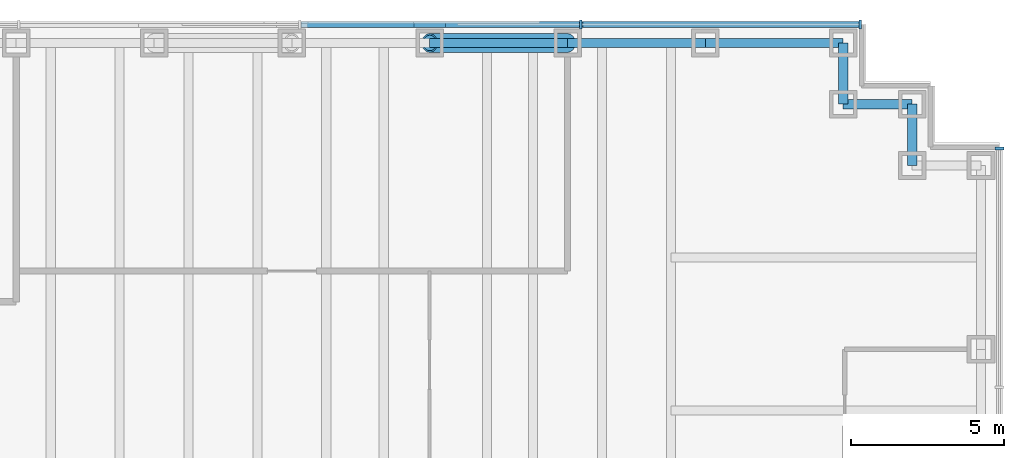
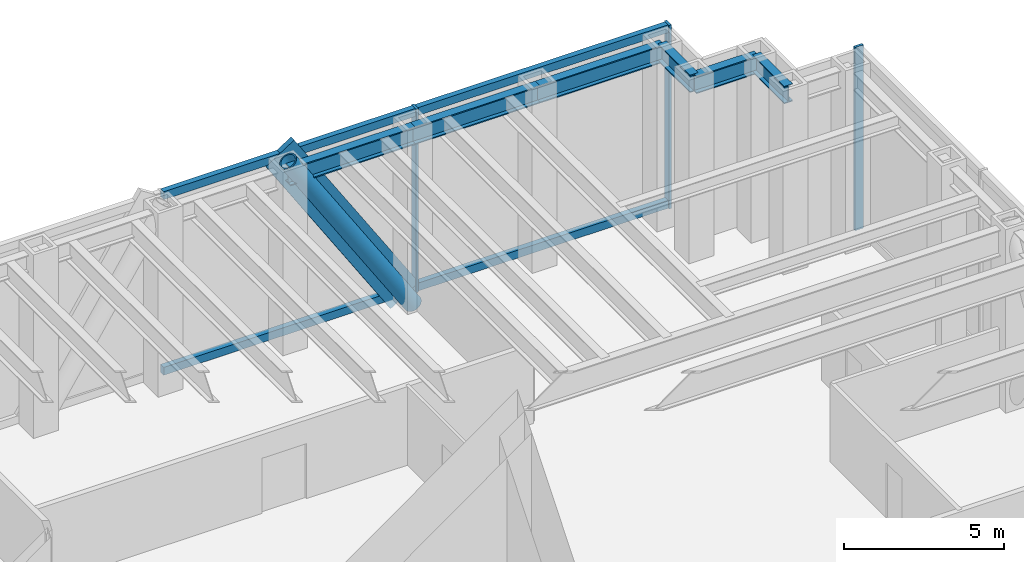
# One storey, part 10 of 17: 9 members, 6 beams, 2 elements without a shape of their own.
"""IFC4 building model written with IfcOpenShell, lengths in metres."""

import ifcopenshell
import ifcopenshell.guid

model = None  # the IFC model being written
_history = None  # IfcOwnerHistory: only IFC2X3 demands one
_inside = {}  # id of a spatial element -> (the spatial element, [elements in it])
_under = {}  # id of a project, library or spatial element -> (it, [spatial elements below it])
_declared = {}  # id of a project -> (the project, [libraries it declares])
_typed = {}  # id of a type object -> (the type object, [elements of that type])
_made_of = {}  # id of a material, layer set ... -> (it, [elements and type objects made of it])


def new_model(schema):
    """Start an empty IFC model of exactly this schema.

    Asked for "IFC4X3", IfcOpenShell would pick the latest addendum, in which some entities
    have other attributes; the version numbers below select the first issue.
    IFC2X3 requires an IfcOwnerHistory on every rooted entity: one is made here for all.
    """
    global model, _history
    if schema == "IFC4X3":
        model = ifcopenshell.file(schema_version=(4, 3, 0, 0))
    else:
        model = ifcopenshell.file(schema=schema)
    _inside.clear()
    _under.clear()
    _declared.clear()
    _typed.clear()
    _made_of.clear()
    _history = None
    if model.schema == "IFC2X3":
        org = make("IfcOrganization", Name="unknown")
        user = make(
            "IfcPersonAndOrganization",
            ThePerson=make("IfcPerson", FamilyName="unknown"),
            TheOrganization=org,
        )
        app = make(
            "IfcApplication",
            ApplicationDeveloper=org,
            Version="unknown",
            ApplicationFullName="unknown",
            ApplicationIdentifier="unknown",
        )
        _history = make(
            "IfcOwnerHistory",
            OwningUser=user,
            OwningApplication=app,
            ChangeAction="ADDED",
            CreationDate=0,
        )
    return model


def make(cls, **values):
    """One entity of the class cls with the attributes given. An attribute that is None is left unset."""
    return model.create_entity(
        cls, **{name: value for name, value in values.items() if value is not None}
    )


def rooted(cls, **values):
    """An entity with a GlobalId (a new one), such as an element, a storey or a relation."""
    return make(cls, GlobalId=ifcopenshell.guid.new(), OwnerHistory=_history, **values)


def si_unit(unit_type, name, prefix=None):
    """IfcSIUnit, for example si_unit("LENGTHUNIT", "METRE", prefix="MILLI")."""
    return make("IfcSIUnit", UnitType=unit_type, Prefix=prefix, Name=name)


def assignment(units):
    """IfcUnitAssignment: the units of a project."""
    return None if units is None else make("IfcUnitAssignment", Units=units)


def point(xyz):
    """IfcCartesianPoint."""
    return None if xyz is None else make("IfcCartesianPoint", Coordinates=xyz)


def direction(xyz):
    """IfcDirection."""
    return None if xyz is None else make("IfcDirection", DirectionRatios=xyz)


def frame(location, z_axis=None, x_axis=None):
    """IfcAxis2Placement3D, a coordinate frame: its origin and axes. An axis left out is left unset."""
    return make(
        "IfcAxis2Placement3D",
        Location=point(location),
        Axis=direction(z_axis),
        RefDirection=direction(x_axis),
    )


def frame_2d(location, x_axis=None):
    """IfcAxis2Placement2D, a coordinate frame in the plane: its origin and x axis."""
    return make(
        "IfcAxis2Placement2D", Location=point(location), RefDirection=direction(x_axis)
    )


def origin():
    """The frame at (0, 0, 0) with its axes left unset."""
    return frame((0.0, 0.0, 0.0))


def origin_2d():
    """The frame at (0, 0) in the plane with its x axis left unset."""
    return frame_2d((0.0, 0.0))


def place(relative_to, where):
    """IfcLocalPlacement: puts the frame where relative to a parent placement (None: the world)."""
    return make(
        "IfcLocalPlacement", PlacementRelTo=relative_to, RelativePlacement=where
    )


def context(
    kind, dimensions, precision=None, world=None, true_north=None, identifier=None
):
    """IfcGeometricRepresentationContext, for example the 3D "Model" context."""
    return make(
        "IfcGeometricRepresentationContext",
        ContextIdentifier=identifier,
        ContextType=kind,
        CoordinateSpaceDimension=dimensions,
        Precision=precision,
        WorldCoordinateSystem=world,
        TrueNorth=true_north,
    )


def subcontext(parent, identifier, kind, view, scale=None):
    """IfcGeometricRepresentationSubContext, for example "Body" below "Model"."""
    return make(
        "IfcGeometricRepresentationSubContext",
        ContextIdentifier=identifier,
        ContextType=kind,
        ParentContext=parent,
        TargetScale=scale,
        TargetView=view,
    )


def project(units=None, contexts=None):
    """IfcProject with its units and contexts."""
    return rooted(
        "IfcProject",
        Name="project",
        RepresentationContexts=contexts,
        UnitsInContext=assignment(units),
    )


def spatial(cls, under=None, at=None, **own):
    """A site, building, storey or space (cls), placed at a placement, below another one or the project."""
    s = rooted(cls, ObjectPlacement=at, **own)
    if under is not None:
        _under.setdefault(under.id(), (under, []))[1].append(s)
    return s


def profile(cls, at=None, kind="AREA", **sizes):
    """A parametric profile (cls). Its sizes go by their IFC names, for example OverallWidth=200.0."""
    return make(cls, ProfileType=kind, Position=at, **sizes)


def rectangle(**sizes):
    """IfcRectangleProfileDef."""
    return profile("IfcRectangleProfileDef", **sizes)


def hollow_circle(**sizes):
    """IfcCircleHollowProfileDef."""
    return profile("IfcCircleHollowProfileDef", **sizes)


def i_section(**sizes):
    """IfcIShapeProfileDef."""
    return profile("IfcIShapeProfileDef", **sizes)


def extrude(swept, where, along, depth):
    """IfcExtrudedAreaSolid: the profile swept, set in the frame where, extruded along a direction by depth."""
    return make(
        "IfcExtrudedAreaSolid",
        SweptArea=swept,
        Position=where,
        ExtrudedDirection=direction(along),
        Depth=depth,
    )


def shape(context_of_items, identifier, shape_type, items):
    """IfcShapeRepresentation: the items that make up one representation, for example the "Body"."""
    return make(
        "IfcShapeRepresentation",
        ContextOfItems=context_of_items,
        RepresentationIdentifier=identifier,
        RepresentationType=shape_type,
        Items=items,
    )


def material(Name=None, Category=None):
    """IfcMaterial."""
    return make("IfcMaterial", Name=Name, Category=Category)


def material_profile(
    of_material, cross_section, Name=None, Category=None, Priority=None
):
    """IfcMaterialProfile: a cross section and its material."""
    return make(
        "IfcMaterialProfile",
        Name=Name,
        Material=of_material,
        Profile=cross_section,
        Priority=Priority,
        Category=Category,
    )


def profile_set(profiles, Name=None, composite=None):
    """IfcMaterialProfileSet."""
    return make(
        "IfcMaterialProfileSet",
        Name=Name,
        MaterialProfiles=profiles,
        CompositeProfile=composite,
    )


def made_of(thing, what):
    """Note that an element or type object is made of a material, layer set ...; save() writes the relation."""
    if what is not None:
        _made_of.setdefault(what.id(), (what, []))[1].append(thing)
    return thing


def type_object(cls, material=None, **own):
    """A type object (cls), such as IfcWallType, which elements share."""
    return made_of(rooted(cls, **own), material)


def element(
    cls,
    number,
    at=None,
    inside=None,
    cuts=None,
    type_object=None,
    material=None,
    context=None,
    identifier="Body",
    shape_type=None,
    held_by="IfcProductDefinitionShape",
    body=None,
    shapes=None,
    **own,
):
    """One element of the class cls, such as IfcWall. Its Tag is "e" and its number.

    at: its placement. inside: the storey or other place that contains it. cuts: it is an
    opening in that element (IfcRelVoidsElement). A single representation is given by context,
    identifier, shape_type and body (its items); several are given by shapes. held_by: the class
    of the entity that holds the representations. save() writes the other relations.
    """
    e = rooted(cls, Tag="e%d" % number, ObjectPlacement=at, **own)
    if body is not None:
        shapes = [shape(context, identifier, shape_type, body)]
    if shapes is not None:
        e.Representation = make(held_by, Representations=shapes)
    if inside is not None:
        _inside.setdefault(inside.id(), (inside, []))[1].append(e)
    if cuts is not None:
        rooted(
            "IfcRelVoidsElement", RelatingBuildingElement=cuts, RelatedOpeningElement=e
        )
    if type_object is not None:
        _typed.setdefault(type_object.id(), (type_object, []))[1].append(e)
    return made_of(e, material)


def aggregate(whole, parts):
    """IfcRelAggregates: a whole, such as a stair, and the parts it consists of."""
    return rooted("IfcRelAggregates", RelatingObject=whole, RelatedObjects=parts)


def save(model, path):
    """Write the relations noted so far, then the file.

    IfcRelAggregates (storeys below a building ...), IfcRelContainedInSpatialStructure (elements
    in a storey), IfcRelDefinesByType, IfcRelAssociatesMaterial and IfcRelDeclares: one each for
    every whole, place, type object, material and project.
    """
    for whole, parts in _under.values():
        aggregate(whole, parts)
    for where, things in _inside.values():
        rooted(
            "IfcRelContainedInSpatialStructure",
            RelatedElements=things,
            RelatingStructure=where,
        )
    for kind, things in _typed.values():
        rooted("IfcRelDefinesByType", RelatedObjects=things, RelatingType=kind)
    for what, things in _made_of.values():
        rooted("IfcRelAssociatesMaterial", RelatedObjects=things, RelatingMaterial=what)
    for by, libraries in _declared.values():
        rooted("IfcRelDeclares", RelatingContext=by, RelatedDefinitions=libraries)
    model.write(path)


model = new_model("IFC4")

# Units and contexts
model_context = context("Model", 3, precision=1e-05, world=origin(), true_north=direction((0.0, 1.0)))
body_context = subcontext(model_context, "Body", "Model", "MODEL_VIEW")
ifc_project = project(units=[si_unit("LENGTHUNIT", "METRE"), si_unit("AREAUNIT", "SQUARE_METRE"), si_unit("VOLUMEUNIT", "CUBIC_METRE"), si_unit("PLANEANGLEUNIT", "RADIAN"), si_unit("MASSUNIT", "GRAM", prefix="KILO")], contexts=[model_context])

# Site, building, storey
site_placement = place(None, origin())
site = spatial("IfcSite", under=ifc_project, at=site_placement, CompositionType="ELEMENT")
building_placement = place(site_placement, origin())
building = spatial("IfcBuilding", under=site, at=building_placement, Name="Rheinbord Bourse Tower", CompositionType="ELEMENT")
storey_placement = place(building_placement, frame((0.0, 0.0, 6.0)))
storey = spatial("IfcBuildingStorey", under=building, at=storey_placement, Name="L01", CompositionType="ELEMENT", Elevation=6.0)

# Curtain wall, member
ifc_material_1 = material(Name="Dark glass and black aluminium", Category="aluminium")
curtain_wall_type = type_object("IfcCurtainWallType", Name="CW4 DARK GLASS CURTAIN WALL", PredefinedType="USERDEFINED", material=ifc_material_1)
curtain_wall_1_placement = place(storey_placement, origin())
curtain_wall_1 = element("IfcCurtainWall", 1, at=curtain_wall_1_placement, inside=storey, type_object=curtain_wall_type, Name="Curtain wall CW4 N L01", ObjectType="UNITISED CURTAIN WALL", PredefinedType="USERDEFINED")
ifc_material_2 = material(Name="Black anodised aluminium", Category="aluminium")
ifc_material_profile_1 = material_profile(ifc_material_2, rectangle(XDim=0.199951171875, YDim=1.2099609375, at=origin_2d()), Name="CW4 DIAGONAL MULLION 1210x200")
ifc_profile_set_1 = profile_set([ifc_material_profile_1], Name="Black anodised aluminium")
member_type_1 = type_object("IfcMemberType", Name="CW4 BLACK DIAGONAL MULLION", PredefinedType="USERDEFINED", material=ifc_profile_set_1)
member_1_placement = place(storey_placement, frame((58.5, 46.60009765625, 0.0), z_axis=(-0.540757591313, 0.0, 0.841178475377), x_axis=(0.0, -1.0, 0.0)))
member_1 = element("IfcMember", 2, at=member_1_placement, type_object=member_type_1, Name="CW4 diagonal mullion b", ObjectType="DIAGONAL MULLION", PredefinedType="USERDEFINED", context=body_context, shape_type="SweptSolid", body=[
    extrude(rectangle(XDim=0.199951171875, YDim=1.2099609375, at=origin_2d()), origin(), (0.0, 0.0, 1.0), 8.32177734375),
])

curtain_wall_2_placement = place(storey_placement, origin())
curtain_wall_2 = element("IfcCurtainWall", 3, at=curtain_wall_2_placement, inside=storey, type_object=curtain_wall_type, Name="Curtain wall CW4 E L01", ObjectType="UNITISED CURTAIN WALL", PredefinedType="USERDEFINED")
ifc_material_3 = material(Name="Black anodised aluminium", Category="aluminium")
ifc_material_profile_2 = material_profile(ifc_material_3, rectangle(XDim=0.300048828125, YDim=0.090087890625, at=origin_2d()), Name="CW4 MULLION 90x300")
ifc_profile_set_2 = profile_set([ifc_material_profile_2], Name="Black anodised aluminium")
member_type_2 = type_object("IfcMemberType", Name="CW4 BLACK MULLION", PredefinedType="MULLION", material=ifc_profile_set_2)
member_2_placement = place(storey_placement, frame((72.60009765625, 42.554931640625, 0.0), z_axis=(0.0, 0.0, 1.0), x_axis=(-1.0, 0.0, 0.0)))
member_2 = element("IfcMember", 4, at=member_2_placement, type_object=member_type_2, Name="CW4 mullion 6", PredefinedType="MULLION", context=body_context, shape_type="SweptSolid", body=[
    extrude(rectangle(XDim=0.300048828125, YDim=0.090087890625, at=origin_2d()), origin(), (0.0, 0.0, 1.0), 7.0),
])
aggregate(curtain_wall_2, [member_2])

# Member
member_3_placement = place(storey_placement, frame((68.054931640625, 46.60009765625, 0.0), z_axis=(0.0, 0.0, 1.0), x_axis=(0.0, -1.0, 0.0)))
member_3 = element("IfcMember", 5, at=member_3_placement, type_object=member_type_2, Name="CW4 mullion 1", PredefinedType="MULLION", context=body_context, shape_type="SweptSolid", body=[
    extrude(rectangle(XDim=0.300048828125, YDim=0.090087890625, at=origin_2d()), origin(), (0.0, 0.0, 1.0), 7.0),
])

member_4_placement = place(storey_placement, frame((58.928466796875, 46.60009765625, 0.0), z_axis=(0.0, 0.0, 1.0), x_axis=(0.0, -1.0, 0.0)))
member_4 = element("IfcMember", 6, at=member_4_placement, type_object=member_type_2, Name="CW4 mullion 2", PredefinedType="MULLION", context=body_context, shape_type="SweptSolid", body=[
    extrude(rectangle(XDim=0.300048828125, YDim=0.090087890625, at=origin_2d()), origin(), (0.0, 0.0, 1.0), 7.0),
])

ifc_material_4 = material(Name="Black anodised aluminium", Category="aluminium")
ifc_material_profile_3 = material_profile(ifc_material_4, rectangle(XDim=0.199951171875, YDim=0.300048828125, at=origin_2d()), Name="CW4 TRANSOM 300x200")
ifc_profile_set_3 = profile_set([ifc_material_profile_3], Name="Black anodised aluminium")
member_type_3 = type_object("IfcMemberType", Name="CW4 BLACK TRANSOM", PredefinedType="USERDEFINED", material=ifc_profile_set_3)
member_5_placement = place(storey_placement, frame((68.010009765625, 46.60009765625, 0.14990234375), z_axis=(-1.0, 0.0, 0.0), x_axis=(0.0, -1.0, 0.0)))
member_5 = element("IfcMember", 7, at=member_5_placement, type_object=member_type_3, Name="CW4 transom 1.1", ObjectType="TRANSOM", PredefinedType="USERDEFINED", context=body_context, shape_type="SweptSolid", body=[
    extrude(rectangle(XDim=0.199951171875, YDim=0.300048828125, at=origin_2d()), origin(), (0.0, 0.0, 1.0), 9.036376953125),
])

member_6_placement = place(storey_placement, frame((68.010009765625, 46.60009765625, 6.85009765625), z_axis=(-1.0, 0.0, 0.0), x_axis=(0.0, -1.0, 0.0)))
member_6 = element("IfcMember", 8, at=member_6_placement, type_object=member_type_3, Name="CW4 transom 1.2", ObjectType="TRANSOM", PredefinedType="USERDEFINED", context=body_context, shape_type="SweptSolid", body=[
    extrude(rectangle(XDim=0.199951171875, YDim=0.300048828125, at=origin_2d()), origin(), (0.0, 0.0, 1.0), 9.036376953125),
])

member_7_placement = place(storey_placement, frame((58.883544921875, 46.60009765625, 0.14990234375), z_axis=(-1.0, 0.0, 0.0), x_axis=(0.0, -1.0, 0.0)))
member_7 = element("IfcMember", 9, at=member_7_placement, type_object=member_type_3, Name="CW4 transom 2.1", ObjectType="TRANSOM", PredefinedType="USERDEFINED", context=body_context, shape_type="SweptSolid", body=[
    extrude(rectangle(XDim=0.199951171875, YDim=0.300048828125, at=origin_2d()), origin(), (0.0, 0.0, 1.0), 9.081298828125),
])

member_8_placement = place(storey_placement, frame((58.883544921875, 46.60009765625, 6.85009765625), z_axis=(-1.0, 0.0, 0.0), x_axis=(0.0, -1.0, 0.0)))
member_8 = element("IfcMember", 10, at=member_8_placement, type_object=member_type_3, Name="CW4 transom 2.2", ObjectType="TRANSOM", PredefinedType="USERDEFINED", context=body_context, shape_type="SweptSolid", body=[
    extrude(rectangle(XDim=0.199951171875, YDim=0.300048828125, at=origin_2d()), origin(), (0.0, 0.0, 1.0), 9.081298828125),
])

aggregate(curtain_wall_1, [member_3, member_4, member_5, member_6, member_7, member_8, member_1])

ifc_material_5 = material(Name="Steel S460", Category="steel")
ifc_material_profile_4 = material_profile(ifc_material_5, hollow_circle(Radius=0.304931640625, WallThickness=0.050048828125, at=origin_2d()), Name="CHS 610x50")
ifc_profile_set_4 = profile_set([ifc_material_profile_4], Name="Steel S460")
member_type_4 = type_object("IfcMemberType", Name="MEGABRACE CHS 610x50", PredefinedType="BRACE", material=ifc_profile_set_4)
member_9_placement = place(storey_placement, frame((58.5, 46.0, 0.0), z_axis=(-0.540757591313, 0.0, 0.841178475377), x_axis=(0.0, -1.0, 0.0)))
element("IfcMember", 11, at=member_9_placement, inside=storey, type_object=member_type_4, Name="Megabrace N face line b L01", PredefinedType="BRACE", context=body_context, shape_type="SweptSolid", body=[
    extrude(hollow_circle(Radius=0.304931640625, WallThickness=0.050048828125, at=origin_2d()), origin(), (0.0, 0.0, 1.0), 8.32177734375),
])

# Beams
ifc_material_6 = material(Name="Steel S460", Category="steel")
ifc_material_profile_5 = material_profile(ifc_material_6, i_section(OverallWidth=0.304931640625, OverallDepth=0.66796875, WebThickness=0.02099609375, FlangeThickness=0.0400390625, at=origin_2d()), Name="HEM 650")
ifc_profile_set_5 = profile_set([ifc_material_profile_5], Name="Steel S460")
beam_type = type_object("IfcBeamType", Name="SPANDREL HEM 650", PredefinedType="SPANDREL", material=ifc_profile_set_5)
beam_1_placement = place(storey_placement, frame((69.75, 42.0, 6.486083984375), z_axis=(0.0, 1.0, 0.0), x_axis=(-1.0, 0.0, 0.0)))
element("IfcBeam", 12, at=beam_1_placement, inside=storey, type_object=beam_type, Name="Spandrel NE-B-NE-C under L02", PredefinedType="SPANDREL", context=body_context, shape_type="SweptSolid", body=[
    extrude(i_section(OverallWidth=0.304931640625, OverallDepth=0.66796875, WebThickness=0.02099609375, FlangeThickness=0.0400390625, at=origin_2d()), origin(), (0.0, 0.0, 1.0), 2.0),
])
beam_2_placement = place(storey_placement, frame((69.75, 44.0, 6.486083984375), z_axis=(-1.0, 0.0, 0.0), x_axis=(0.0, -1.0, 0.0)))
element("IfcBeam", 13, at=beam_2_placement, inside=storey, type_object=beam_type, Name="Spandrel NE-C-NE-D under L02", PredefinedType="SPANDREL", context=body_context, shape_type="SweptSolid", body=[
    extrude(i_section(OverallWidth=0.304931640625, OverallDepth=0.66796875, WebThickness=0.02099609375, FlangeThickness=0.0400390625, at=origin_2d()), origin(), (0.0, 0.0, 1.0), 2.25),
])
beam_3_placement = place(storey_placement, frame((67.5, 44.0, 6.486083984375), z_axis=(0.0, 1.0, 0.0), x_axis=(-1.0, 0.0, 0.0)))
element("IfcBeam", 14, at=beam_3_placement, inside=storey, type_object=beam_type, Name="Spandrel NE-D-NE-E under L02", PredefinedType="SPANDREL", context=body_context, shape_type="SweptSolid", body=[
    extrude(i_section(OverallWidth=0.304931640625, OverallDepth=0.66796875, WebThickness=0.02099609375, FlangeThickness=0.0400390625, at=origin_2d()), origin(), (0.0, 0.0, 1.0), 2.0),
])
for number, where, z_axis, x_axis, name in (
    (15, (67.5, 46.0, 6.486083984375), (-1.0, 0.0, 0.0), (0.0, -1.0, 0.0), "Spandrel NE-E-N-63 under L02"),
    (16, (63.0, 46.0, 6.486083984375), (-1.0, 0.0, 0.0), (0.0, -1.0, 0.0), "Spandrel N-63-N-58.5 under L02"),
    (17, (58.5, 46.0, 6.486083984375), (-1.0, 0.0, 0.0), (0.0, -1.0, 0.0), "Spandrel N-58.5-N-54 under L02"),
):
    element("IfcBeam", number, at=place(storey_placement, frame(where, z_axis=z_axis, x_axis=x_axis)), inside=storey, type_object=beam_type, Name=name, PredefinedType="SPANDREL", context=body_context, shape_type="SweptSolid", body=[
        extrude(i_section(OverallWidth=0.304931640625, OverallDepth=0.66796875, WebThickness=0.02099609375, FlangeThickness=0.0400390625, at=origin_2d()), origin(), (0.0, 0.0, 1.0), 4.5),
    ])

save(model, "model.ifc")
